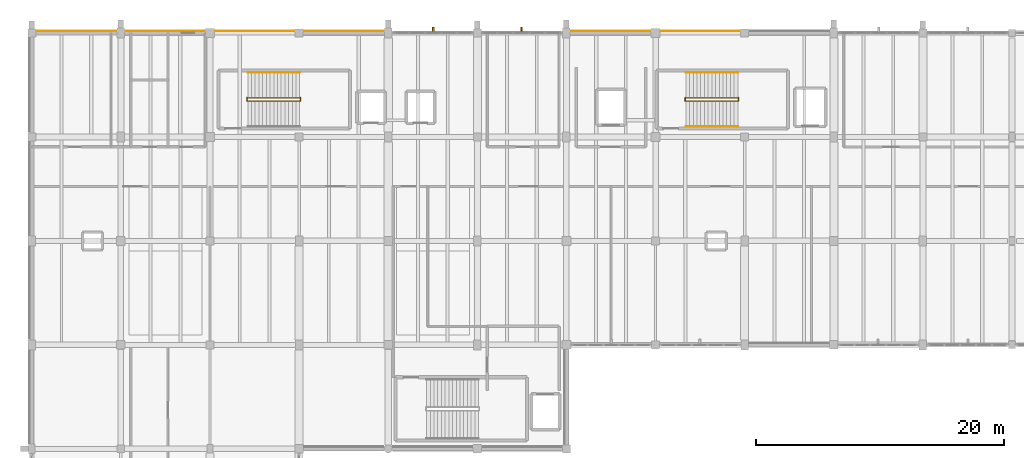
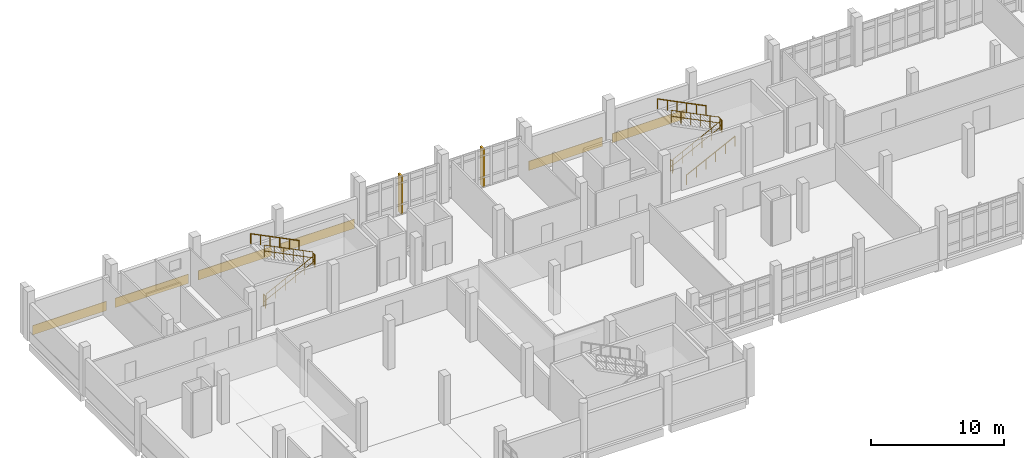
# One storey, part 56 of 57: 11 railings, 6 coverings, 2 shading devices.
"""IFC4 building model written with IfcOpenShell, lengths in metres."""

from ifc_helpers import new_model, si_unit, direction, frame, origin, origin_2d, place, context, subcontext, project, spatial, rectangle, circle, extrude, material, layer, layer_set, type_object, element, save


model = new_model("IFC4")

# Units and contexts
model_context = context("Model", 3, precision=1e-05, world=origin(), true_north=direction((0.0, 1.0)))
body_context = subcontext(model_context, "Body", "Model", "MODEL_VIEW")
ifc_project = project(units=[si_unit("LENGTHUNIT", "METRE"), si_unit("AREAUNIT", "SQUARE_METRE"), si_unit("VOLUMEUNIT", "CUBIC_METRE"), si_unit("PLANEANGLEUNIT", "RADIAN"), si_unit("MASSUNIT", "GRAM", prefix="KILO")], contexts=[model_context])

# Site, building, storey
site_placement = place(None, origin())
site = spatial("IfcSite", under=ifc_project, at=site_placement, CompositionType="ELEMENT")
building_placement = place(site_placement, origin())
building = spatial("IfcBuilding", under=site, at=building_placement, Name="Kalluvel Institute of Natural Sciences", CompositionType="ELEMENT")
storey_placement = place(building_placement, frame((0.0, 0.0, 23.39990234375)))
storey = spatial("IfcBuildingStorey", under=building, at=storey_placement, Name="L05", CompositionType="ELEMENT", Elevation=23.39990234375)

# Coverings
ifc_material_1 = material(Name="Sadarahalli Grey Granite Ashlar Concrete M40", Category="masonry")
ifc_layer = layer(ifc_material_1, 0.044921875)
ifc_layer_set = layer_set([ifc_layer], Name="Sadarahalli Grey Granite Ashlar Concrete M40")
covering_type = type_object("IfcCoveringType", Name="COV-CLAD-STONE", PredefinedType="CLADDING", material=ifc_layer_set)
covering_1_placement = place(storey_placement, frame((17.612548828125, 128.179931640625, 0.025146484375), z_axis=(0.0, 0.0, 1.0), x_axis=(1.0, 0.0, 0.0)))
element("IfcCovering", 1, at=covering_1_placement, inside=storey, type_object=covering_type, Name="L05 Sadarahalli granite plinth spandrel cladding 59", PredefinedType="CLADDING", context=body_context, shape_type="SweptSolid", body=[
    extrude(rectangle(XDim=6.4150390625, YDim=0.044921875, at=origin_2d()), origin(), (0.0, 0.0, 1.0), 0.85009765625),
])
covering_2_placement = place(storey_placement, frame((24.77490234375, 128.179931640625, 0.025146484375), z_axis=(0.0, 0.0, 1.0), x_axis=(1.0, 0.0, 0.0)))
element("IfcCovering", 2, at=covering_2_placement, inside=storey, type_object=covering_type, Name="L05 Sadarahalli granite plinth spandrel cladding 60", PredefinedType="CLADDING", context=body_context, shape_type="SweptSolid", body=[
    extrude(rectangle(XDim=6.389892578125, YDim=0.044921875, at=origin_2d()), origin(), (0.0, 0.0, 1.0), 0.85009765625),
])
covering_3_placement = place(storey_placement, frame((32.012451171875, 128.179931640625, 0.025146484375), z_axis=(0.0, 0.0, 1.0), x_axis=(1.0, 0.0, 0.0)))
element("IfcCovering", 3, at=covering_3_placement, inside=storey, type_object=covering_type, Name="L05 Sadarahalli granite plinth spandrel cladding 61", PredefinedType="CLADDING", context=body_context, shape_type="SweptSolid", body=[
    extrude(rectangle(XDim=6.364990234375, YDim=0.044921875, at=origin_2d()), origin(), (0.0, 0.0, 1.0), 0.85009765625),
])
covering_4_placement = place(storey_placement, frame((39.21240234375, 128.179931640625, 0.025146484375), z_axis=(0.0, 0.0, 1.0), x_axis=(1.0, 0.0, 0.0)))
element("IfcCovering", 4, at=covering_4_placement, inside=storey, type_object=covering_type, Name="L05 Sadarahalli granite plinth spandrel cladding 62", PredefinedType="CLADDING", context=body_context, shape_type="SweptSolid", body=[
    extrude(rectangle(XDim=6.4150390625, YDim=0.044921875, at=origin_2d()), origin(), (0.0, 0.0, 1.0), 0.85009765625),
])
covering_5_placement = place(storey_placement, frame((60.77490234375, 128.179931640625, 0.025146484375), z_axis=(0.0, 0.0, 1.0), x_axis=(1.0, 0.0, 0.0)))
element("IfcCovering", 5, at=covering_5_placement, inside=storey, type_object=covering_type, Name="L05 Sadarahalli granite plinth spandrel cladding 63", PredefinedType="CLADDING", context=body_context, shape_type="SweptSolid", body=[
    extrude(rectangle(XDim=6.389892578125, YDim=0.044921875, at=origin_2d()), origin(), (0.0, 0.0, 1.0), 0.85009765625),
])
covering_6_placement = place(storey_placement, frame((68.012451171875, 128.179931640625, 0.025146484375), z_axis=(0.0, 0.0, 1.0), x_axis=(1.0, 0.0, 0.0)))
element("IfcCovering", 6, at=covering_6_placement, inside=storey, type_object=covering_type, Name="L05 Sadarahalli granite plinth spandrel cladding 64", PredefinedType="CLADDING", context=body_context, shape_type="SweptSolid", body=[
    extrude(rectangle(XDim=6.364990234375, YDim=0.044921875, at=origin_2d()), origin(), (0.0, 0.0, 1.0), 0.85009765625),
])

# Railings
ifc_material_2 = material(Name="Galvanized Fire-Rated Steel", Category="steel")
railing_type_1 = type_object("IfcRailingType", Name="RL-GD-STAIR", PredefinedType="BALUSTRADE", material=ifc_material_2)
railing_1_placement = place(storey_placement, frame((31.449951171875, 122.510009765625, 0.150146484375)))
element("IfcRailing", 7, at=railing_1_placement, inside=storey, type_object=railing_type_1, Name="L05 ST1 stair guard 1", PredefinedType="BALUSTRADE", context=body_context, shape_type="SweptSolid", body=[
    extrude(circle(Radius=0.02392578125, at=origin_2d()), frame((0.0, 0.0, 1.09619140625), z_axis=(0.894437589381, 0.0, 0.447192798132), x_axis=(0.0, 1.0, 0.0)), (0.0, 0.0, 1.0), 4.695556640625),
    extrude(circle(Radius=0.02392578125, at=origin_2d()), frame((0.0, 0.0, 0.56005859375), z_axis=(0.894437589381, 0.0, 0.447192798132), x_axis=(0.0, 1.0, 0.0)), (0.0, 0.0, 1.0), 4.695556640625),
    extrude(circle(Radius=0.02099609375, at=origin_2d()), origin(), (0.0, 0.0, 1.0), 1.072021484375),
    extrude(circle(Radius=0.02099609375, at=origin_2d()), frame((0.840087890625, 0.0, 0.419921875)), (0.0, 0.0, 1.0), 1.072021484375),
    extrude(circle(Radius=0.02099609375, at=origin_2d()), frame((1.679931640625, 0.0, 0.83984375)), (0.0, 0.0, 1.0), 1.072021484375),
    extrude(circle(Radius=0.02099609375, at=origin_2d()), frame((2.52001953125, 0.0, 1.260009765625)), (0.0, 0.0, 1.0), 1.072021484375),
    extrude(circle(Radius=0.02099609375, at=origin_2d()), frame((3.35986328125, 0.0, 1.679931640625)), (0.0, 0.0, 1.0), 1.072021484375),
    extrude(circle(Radius=0.02099609375, at=origin_2d()), frame((4.199951171875, 0.0, 2.099853515625)), (0.0, 0.0, 1.0), 1.072021484375),
])
railing_2_placement = place(storey_placement, frame((35.699951171875, 122.4951171875, 2.25)))
element("IfcRailing", 8, at=railing_2_placement, inside=storey, type_object=railing_type_1, Name="L05 ST1 stair guard 2", PredefinedType="BALUSTRADE", context=body_context, shape_type="SweptSolid", body=[
    extrude(circle(Radius=0.02392578125, at=origin_2d()), frame((0.0, 0.0, 1.09619140625), z_axis=(0.0, 1.0, 0.0), x_axis=(-1.0, 0.0, 0.0)), (0.0, 0.0, 1.0), 0.27978515625),
    extrude(circle(Radius=0.02392578125, at=origin_2d()), frame((0.0, 0.0, 0.56005859375), z_axis=(0.0, 1.0, 0.0), x_axis=(-1.0, 0.0, 0.0)), (0.0, 0.0, 1.0), 0.27978515625),
    extrude(circle(Radius=0.02099609375, at=origin_2d()), origin(), (0.0, 0.0, 1.0), 1.072021484375),
    extrude(circle(Radius=0.02099609375, at=origin_2d()), frame((0.0, 0.27978515625, 0.0)), (0.0, 0.0, 1.0), 1.072021484375),
])
railing_3_placement = place(storey_placement, frame((35.64990234375, 122.760009765625, 2.400146484375)))
element("IfcRailing", 9, at=railing_3_placement, inside=storey, type_object=railing_type_1, Name="L05 ST1 stair guard 3", PredefinedType="BALUSTRADE", context=body_context, shape_type="SweptSolid", body=[
    extrude(circle(Radius=0.02392578125, at=origin_2d()), frame((0.0, 0.0, 1.09619140625), z_axis=(-0.894437589381, 0.0, 0.447192798132), x_axis=(0.0, -1.0, 0.0)), (0.0, 0.0, 1.0), 4.695556640625),
    extrude(circle(Radius=0.02392578125, at=origin_2d()), frame((0.0, 0.0, 0.56005859375), z_axis=(-0.894437589381, 0.0, 0.447192798132), x_axis=(0.0, -1.0, 0.0)), (0.0, 0.0, 1.0), 4.695556640625),
    extrude(circle(Radius=0.02099609375, at=origin_2d()), origin(), (0.0, 0.0, 1.0), 1.072021484375),
    extrude(circle(Radius=0.02099609375, at=origin_2d()), frame((-0.840087890625, 0.0, 0.419921875)), (0.0, 0.0, 1.0), 1.072021484375),
    extrude(circle(Radius=0.02099609375, at=origin_2d()), frame((-1.679931640625, 0.0, 0.83984375)), (0.0, 0.0, 1.0), 1.072021484375),
    extrude(circle(Radius=0.02099609375, at=origin_2d()), frame((-2.52001953125, 0.0, 1.260009765625)), (0.0, 0.0, 1.0), 1.072021484375),
    extrude(circle(Radius=0.02099609375, at=origin_2d()), frame((-3.35986328125, 0.0, 1.679931640625)), (0.0, 0.0, 1.0), 1.072021484375),
    extrude(circle(Radius=0.02099609375, at=origin_2d()), frame((-4.199951171875, 0.0, 2.099853515625)), (0.0, 0.0, 1.0), 1.072021484375),
])
railing_4_placement = place(storey_placement, frame((31.39990234375, 122.4951171875, 0.0)))
element("IfcRailing", 10, at=railing_4_placement, inside=storey, type_object=railing_type_1, Name="L05 ST1 stair guard 4", PredefinedType="BALUSTRADE", context=body_context, shape_type="SweptSolid", body=[
    extrude(circle(Radius=0.02392578125, at=origin_2d()), frame((0.0, 0.0, 1.09619140625), z_axis=(0.0, 1.0, 0.0), x_axis=(-1.0, 0.0, 0.0)), (0.0, 0.0, 1.0), 0.27978515625),
    extrude(circle(Radius=0.02392578125, at=origin_2d()), frame((0.0, 0.0, 0.56005859375), z_axis=(0.0, 1.0, 0.0), x_axis=(-1.0, 0.0, 0.0)), (0.0, 0.0, 1.0), 0.27978515625),
    extrude(circle(Radius=0.02099609375, at=origin_2d()), origin(), (0.0, 0.0, 1.0), 1.072021484375),
    extrude(circle(Radius=0.02099609375, at=origin_2d()), frame((0.0, 0.27978515625, 0.0)), (0.0, 0.0, 1.0), 1.072021484375),
])
railing_5_placement = place(storey_placement, frame((66.85009765625, 122.510009765625, 0.150146484375)))
element("IfcRailing", 11, at=railing_5_placement, inside=storey, type_object=railing_type_1, Name="L05 ST2 stair guard 1", PredefinedType="BALUSTRADE", context=body_context, shape_type="SweptSolid", body=[
    extrude(circle(Radius=0.02392578125, at=origin_2d()), frame((0.0, 0.0, 1.09619140625), z_axis=(0.894437589381, 0.0, 0.447192798132), x_axis=(0.0, 1.0, 0.0)), (0.0, 0.0, 1.0), 4.695556640625),
    extrude(circle(Radius=0.02392578125, at=origin_2d()), frame((0.0, 0.0, 0.56005859375), z_axis=(0.894437589381, 0.0, 0.447192798132), x_axis=(0.0, 1.0, 0.0)), (0.0, 0.0, 1.0), 4.695556640625),
    extrude(circle(Radius=0.02099609375, at=origin_2d()), origin(), (0.0, 0.0, 1.0), 1.072021484375),
    extrude(circle(Radius=0.02099609375, at=origin_2d()), frame((0.840087890625, 0.0, 0.419921875)), (0.0, 0.0, 1.0), 1.072021484375),
    extrude(circle(Radius=0.02099609375, at=origin_2d()), frame((1.679931640625, 0.0, 0.83984375)), (0.0, 0.0, 1.0), 1.072021484375),
    extrude(circle(Radius=0.02099609375, at=origin_2d()), frame((2.52001953125, 0.0, 1.260009765625)), (0.0, 0.0, 1.0), 1.072021484375),
    extrude(circle(Radius=0.02099609375, at=origin_2d()), frame((3.35986328125, 0.0, 1.679931640625)), (0.0, 0.0, 1.0), 1.072021484375),
    extrude(circle(Radius=0.02099609375, at=origin_2d()), frame((4.199951171875, 0.0, 2.099853515625)), (0.0, 0.0, 1.0), 1.072021484375),
])
railing_6_placement = place(storey_placement, frame((71.10009765625, 122.4951171875, 2.25)))
element("IfcRailing", 12, at=railing_6_placement, inside=storey, type_object=railing_type_1, Name="L05 ST2 stair guard 2", PredefinedType="BALUSTRADE", context=body_context, shape_type="SweptSolid", body=[
    extrude(circle(Radius=0.02392578125, at=origin_2d()), frame((0.0, 0.0, 1.09619140625), z_axis=(0.0, 1.0, 0.0), x_axis=(-1.0, 0.0, 0.0)), (0.0, 0.0, 1.0), 0.27978515625),
    extrude(circle(Radius=0.02392578125, at=origin_2d()), frame((0.0, 0.0, 0.56005859375), z_axis=(0.0, 1.0, 0.0), x_axis=(-1.0, 0.0, 0.0)), (0.0, 0.0, 1.0), 0.27978515625),
    extrude(circle(Radius=0.02099609375, at=origin_2d()), origin(), (0.0, 0.0, 1.0), 1.072021484375),
    extrude(circle(Radius=0.02099609375, at=origin_2d()), frame((0.0, 0.27978515625, 0.0)), (0.0, 0.0, 1.0), 1.072021484375),
])
railing_7_placement = place(storey_placement, frame((71.050048828125, 122.760009765625, 2.400146484375)))
element("IfcRailing", 13, at=railing_7_placement, inside=storey, type_object=railing_type_1, Name="L05 ST2 stair guard 3", PredefinedType="BALUSTRADE", context=body_context, shape_type="SweptSolid", body=[
    extrude(circle(Radius=0.02392578125, at=origin_2d()), frame((0.0, 0.0, 1.09619140625), z_axis=(-0.894437589381, 0.0, 0.447192798132), x_axis=(0.0, -1.0, 0.0)), (0.0, 0.0, 1.0), 4.695556640625),
    extrude(circle(Radius=0.02392578125, at=origin_2d()), frame((0.0, 0.0, 0.56005859375), z_axis=(-0.894437589381, 0.0, 0.447192798132), x_axis=(0.0, -1.0, 0.0)), (0.0, 0.0, 1.0), 4.695556640625),
    extrude(circle(Radius=0.02099609375, at=origin_2d()), origin(), (0.0, 0.0, 1.0), 1.072021484375),
    extrude(circle(Radius=0.02099609375, at=origin_2d()), frame((-0.840087890625, 0.0, 0.419921875)), (0.0, 0.0, 1.0), 1.072021484375),
    extrude(circle(Radius=0.02099609375, at=origin_2d()), frame((-1.679931640625, 0.0, 0.83984375)), (0.0, 0.0, 1.0), 1.072021484375),
    extrude(circle(Radius=0.02099609375, at=origin_2d()), frame((-2.52001953125, 0.0, 1.260009765625)), (0.0, 0.0, 1.0), 1.072021484375),
    extrude(circle(Radius=0.02099609375, at=origin_2d()), frame((-3.35986328125, 0.0, 1.679931640625)), (0.0, 0.0, 1.0), 1.072021484375),
    extrude(circle(Radius=0.02099609375, at=origin_2d()), frame((-4.199951171875, 0.0, 2.099853515625)), (0.0, 0.0, 1.0), 1.072021484375),
])
railing_8_placement = place(storey_placement, frame((66.800048828125, 122.4951171875, 0.0)))
element("IfcRailing", 14, at=railing_8_placement, inside=storey, type_object=railing_type_1, Name="L05 ST2 stair guard 4", PredefinedType="BALUSTRADE", context=body_context, shape_type="SweptSolid", body=[
    extrude(circle(Radius=0.02392578125, at=origin_2d()), frame((0.0, 0.0, 1.09619140625), z_axis=(0.0, 1.0, 0.0), x_axis=(-1.0, 0.0, 0.0)), (0.0, 0.0, 1.0), 0.27978515625),
    extrude(circle(Radius=0.02392578125, at=origin_2d()), frame((0.0, 0.0, 0.56005859375), z_axis=(0.0, 1.0, 0.0), x_axis=(-1.0, 0.0, 0.0)), (0.0, 0.0, 1.0), 0.27978515625),
    extrude(circle(Radius=0.02099609375, at=origin_2d()), origin(), (0.0, 0.0, 1.0), 1.072021484375),
    extrude(circle(Radius=0.02099609375, at=origin_2d()), frame((0.0, 0.27978515625, 0.0)), (0.0, 0.0, 1.0), 1.072021484375),
])
railing_type_2 = type_object("IfcRailingType", Name="RL-HR-STAIR", PredefinedType="HANDRAIL", material=ifc_material_2)
railing_9_placement = place(storey_placement, frame((35.64990234375, 124.820068359375, 2.400146484375)))
element("IfcRailing", 15, at=railing_9_placement, inside=storey, type_object=railing_type_2, Name="L05 ST1 stair handrail 2", PredefinedType="HANDRAIL", context=body_context, shape_type="SweptSolid", body=[
    extrude(circle(Radius=0.02392578125, at=origin_2d()), frame((0.0, 0.0, 0.89599609375), z_axis=(-0.894437589381, 0.0, 0.447192798132), x_axis=(0.0, -1.0, 0.0)), (0.0, 0.0, 1.0), 4.695556640625),
    extrude(circle(Radius=0.02099609375, at=origin_2d()), origin(), (0.0, 0.0, 1.0), 0.871826171875),
    extrude(circle(Radius=0.02099609375, at=origin_2d()), frame((-0.840087890625, 0.0, 0.419921875)), (0.0, 0.0, 1.0), 0.871826171875),
    extrude(circle(Radius=0.02099609375, at=origin_2d()), frame((-1.679931640625, 0.0, 0.83984375)), (0.0, 0.0, 1.0), 0.871826171875),
    extrude(circle(Radius=0.02099609375, at=origin_2d()), frame((-2.52001953125, 0.0, 1.260009765625)), (0.0, 0.0, 1.0), 0.871826171875),
    extrude(circle(Radius=0.02099609375, at=origin_2d()), frame((-3.35986328125, 0.0, 1.679931640625)), (0.0, 0.0, 1.0), 0.871826171875),
    extrude(circle(Radius=0.02099609375, at=origin_2d()), frame((-4.199951171875, 0.0, 2.099853515625)), (0.0, 0.0, 1.0), 0.871826171875),
])
railing_10_placement = place(storey_placement, frame((66.85009765625, 120.449951171875, 0.150146484375)))
element("IfcRailing", 16, at=railing_10_placement, inside=storey, type_object=railing_type_2, Name="L05 ST2 stair handrail 1", PredefinedType="HANDRAIL", context=body_context, shape_type="SweptSolid", body=[
    extrude(circle(Radius=0.02392578125, at=origin_2d()), frame((0.0, 0.0, 0.89599609375), z_axis=(0.894437589381, 0.0, 0.447192798132), x_axis=(0.0, 1.0, 0.0)), (0.0, 0.0, 1.0), 4.695556640625),
    extrude(circle(Radius=0.02099609375, at=origin_2d()), origin(), (0.0, 0.0, 1.0), 0.871826171875),
    extrude(circle(Radius=0.02099609375, at=origin_2d()), frame((0.840087890625, 0.0, 0.419921875)), (0.0, 0.0, 1.0), 0.871826171875),
    extrude(circle(Radius=0.02099609375, at=origin_2d()), frame((1.679931640625, 0.0, 0.83984375)), (0.0, 0.0, 1.0), 0.871826171875),
    extrude(circle(Radius=0.02099609375, at=origin_2d()), frame((2.52001953125, 0.0, 1.260009765625)), (0.0, 0.0, 1.0), 0.871826171875),
    extrude(circle(Radius=0.02099609375, at=origin_2d()), frame((3.35986328125, 0.0, 1.679931640625)), (0.0, 0.0, 1.0), 0.871826171875),
    extrude(circle(Radius=0.02099609375, at=origin_2d()), frame((4.199951171875, 0.0, 2.099853515625)), (0.0, 0.0, 1.0), 0.871826171875),
])
railing_11_placement = place(storey_placement, frame((71.050048828125, 124.820068359375, 2.400146484375)))
element("IfcRailing", 17, at=railing_11_placement, inside=storey, type_object=railing_type_2, Name="L05 ST2 stair handrail 2", PredefinedType="HANDRAIL", context=body_context, shape_type="SweptSolid", body=[
    extrude(circle(Radius=0.02392578125, at=origin_2d()), frame((0.0, 0.0, 0.89599609375), z_axis=(-0.894437589381, 0.0, 0.447192798132), x_axis=(0.0, -1.0, 0.0)), (0.0, 0.0, 1.0), 4.695556640625),
    extrude(circle(Radius=0.02099609375, at=origin_2d()), origin(), (0.0, 0.0, 1.0), 0.871826171875),
    extrude(circle(Radius=0.02099609375, at=origin_2d()), frame((-0.840087890625, 0.0, 0.419921875)), (0.0, 0.0, 1.0), 0.871826171875),
    extrude(circle(Radius=0.02099609375, at=origin_2d()), frame((-1.679931640625, 0.0, 0.83984375)), (0.0, 0.0, 1.0), 0.871826171875),
    extrude(circle(Radius=0.02099609375, at=origin_2d()), frame((-2.52001953125, 0.0, 1.260009765625)), (0.0, 0.0, 1.0), 0.871826171875),
    extrude(circle(Radius=0.02099609375, at=origin_2d()), frame((-3.35986328125, 0.0, 1.679931640625)), (0.0, 0.0, 1.0), 0.871826171875),
    extrude(circle(Radius=0.02099609375, at=origin_2d()), frame((-4.199951171875, 0.0, 2.099853515625)), (0.0, 0.0, 1.0), 0.871826171875),
])

# Shading devices
shading_device_type = type_object("IfcShadingDeviceType", Name="SHD-FIN-STONE", PredefinedType="USERDEFINED", material=ifc_material_1)
for number, where, z_axis, x_axis, name in (
    (18, (46.4375, 128.219970703125, 0.0), (0.0, 0.0, 1.0), (1.0, 0.0, 0.0), "L05 monsoon lancet shading fin 61"),
    (19, (53.5625, 128.219970703125, 0.0), (0.0, 0.0, 1.0), (1.0, 0.0, 0.0), "L05 monsoon lancet shading fin 62"),
):
    element("IfcShadingDevice", number, at=place(storey_placement, frame(where, z_axis=z_axis, x_axis=x_axis)), inside=storey, type_object=shading_device_type, Name=name, ObjectType="MONSOON FIN", PredefinedType="USERDEFINED", context=body_context, shape_type="SweptSolid", body=[
        extrude(rectangle(XDim=0.139892578125, YDim=0.47998046875, at=origin_2d()), origin(), (0.0, 0.0, 1.0), 3.530029296875),
    ])

save(model, "model.ifc")
